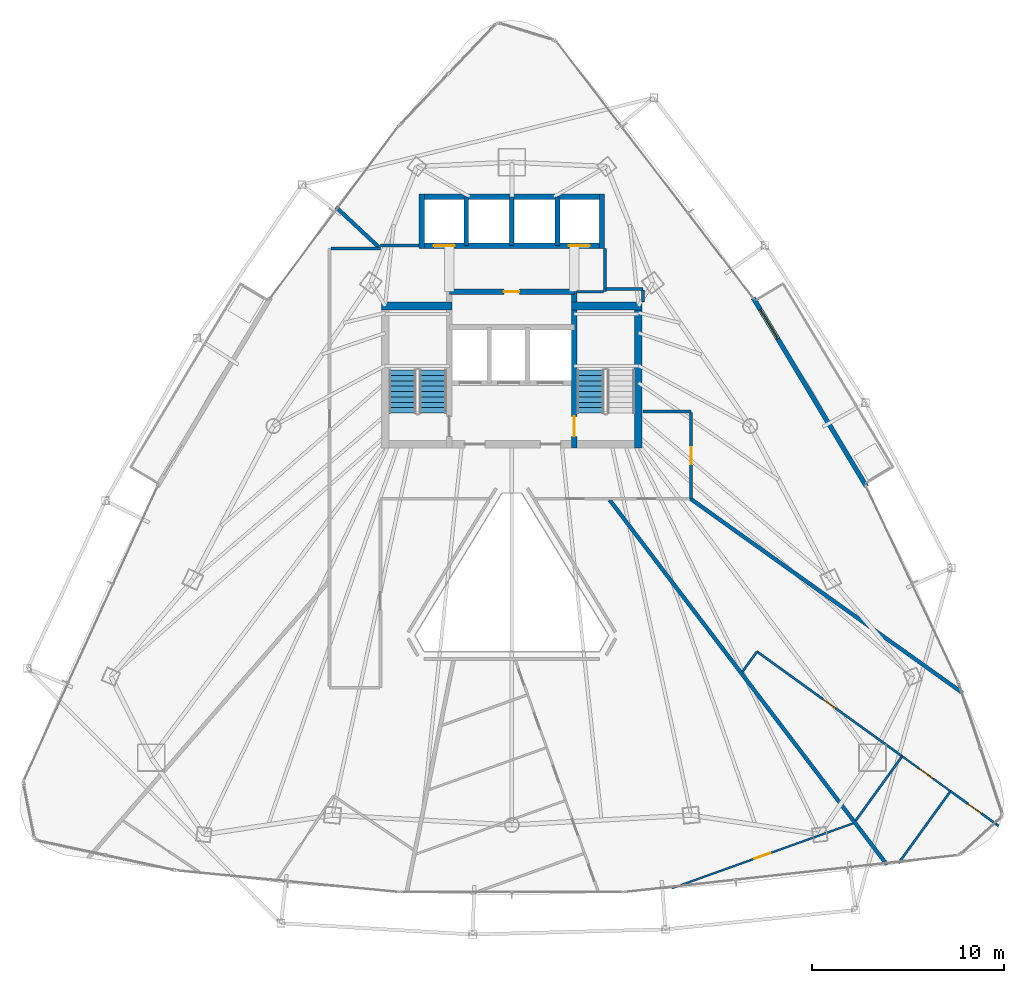
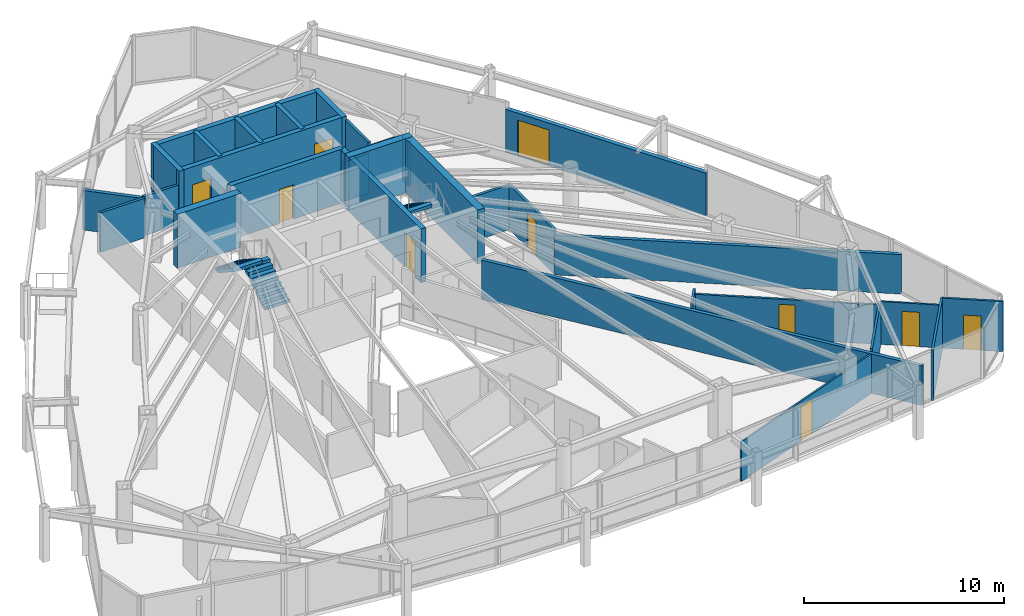
# One storey, part 26 of 30: 31 walls, 10 doors, 3 stair flights, 10 openings, 2 elements without a shape of their own.
"""IFC4 building model written with IfcOpenShell, lengths in metres."""

from ifc_helpers import new_model, si_unit, direction, frame, frame_2d, origin, place, context, subcontext, project, spatial, polyline, rectangle, outline, extrude, material, layer, layer_set, type_object, element, fill, aggregate, save


model = new_model("IFC4")

# Units and contexts
model_context = context("Model", 3, precision=1e-05, world=origin(), true_north=direction((0.0, 1.0)))
body_context = subcontext(model_context, "Body", "Model", "MODEL_VIEW")
ifc_project = project(units=[si_unit("LENGTHUNIT", "METRE"), si_unit("AREAUNIT", "SQUARE_METRE"), si_unit("VOLUMEUNIT", "CUBIC_METRE"), si_unit("PLANEANGLEUNIT", "RADIAN"), si_unit("MASSUNIT", "GRAM", prefix="KILO")], contexts=[model_context])

# Site, building, storey
site_placement = place(None, origin())
site = spatial("IfcSite", under=ifc_project, at=site_placement, CompositionType="ELEMENT")
building_placement = place(site_placement, origin())
building = spatial("IfcBuilding", under=site, at=building_placement, Name="Orvanel Arch Residences", CompositionType="ELEMENT")
storey_placement = place(building_placement, frame((0.0, 0.0, 139.699951171875)))
storey = spatial("IfcBuildingStorey", under=building, at=storey_placement, Name="L39", CompositionType="ELEMENT", Elevation=139.699951171875)

# Wall, opening, door
ifc_material_1 = material(Name="Precast concrete N50 (50 MPa)", Category="concrete")
ifc_layer_1 = layer(ifc_material_1, 0.239990234375)
ifc_layer_set_1 = layer_set([ifc_layer_1], Name="Precast concrete N50 (50 MPa)")
wall_type_1 = type_object("IfcWallType", Name="EW-BAL-240", PredefinedType="SOLIDWALL", material=ifc_layer_set_1)
wall_1_placement = place(storey_placement, frame((51.490966796875, 24.491943359375, 0.0), z_axis=(0.0, 0.0, 1.0), x_axis=(-0.514364263751, 0.857571807009, 0.0)))
wall_1 = element("IfcWall", 1, at=wall_1_placement, inside=storey, type_object=wall_type_1, Name="L39 Balcony Threshold Wall Face 3", PredefinedType="SOLIDWALL", context=body_context, shape_type="SweptSolid", body=[
    extrude(rectangle(XDim=11.46826171875, YDim=0.239990234375, at=frame_2d((5.734130859375, 0.0))), origin(), (0.0, 0.0, 1.0), 2.6240234375),
])
opening_1_placement = place(wall_1_placement, frame((8.971923828125, 0.0, 0.0)))
opening_1 = element("IfcOpeningElement", 2, at=opening_1_placement, cuts=wall_1, Name="Opening DB-180", PredefinedType="OPENING", context=body_context, shape_type="SweptSolid", body=[
    extrude(rectangle(XDim=1.800048828125, YDim=2.199951171875, at=frame_2d((0.89990234375, 1.10009765625))), frame((0.0, 0.1298828125, 0.0), z_axis=(0.0, -1.0, 0.0), x_axis=(1.0, 0.0, 0.0)), (0.0, 0.0, 1.0), 0.260009765625),
])
ifc_material_2 = material(Name="Bronze-anodised aluminium AA6063-T6", Category="aluminium")
door_type_1 = type_object("IfcDoorType", Name="DR-BAL-1800", OperationType="NOTDEFINED", PredefinedType="DOOR", material=ifc_material_2)
door_1_placement = place(opening_1_placement, origin())
door_1 = element("IfcDoor", 3, at=door_1_placement, inside=storey, type_object=door_type_1, Name="DR-L39-BAL-F3 L39 Planted Balcony Access Door Face 3", OperationType="SINGLE_SWING_LEFT", OverallHeight=2.199951171875, OverallWidth=1.800048828125, PredefinedType="DOOR", context=body_context, shape_type="SweptSolid", body=[
    extrude(rectangle(XDim=1.800048828125, YDim=2.199951171875, at=frame_2d((0.89990234375, 1.10009765625))), frame((0.0, 0.02490234375, 0.0), z_axis=(0.0, -1.0, 0.0), x_axis=(1.0, 0.0, 0.0)), (0.0, 0.0, 1.0), 0.050048828125),
])
fill(opening_1, door_1)

# Walls
ifc_material_3 = material(Name="Concrete N50 (50 MPa)", Category="concrete")
ifc_layer_2 = layer(ifc_material_3, 0.25)
ifc_layer_set_2 = layer_set([ifc_layer_2], Name="Concrete N50 (50 MPa)")
wall_type_2 = type_object("IfcWallType", Name="SW-CORE-250", PredefinedType="SHEAR", material=ifc_layer_set_2)
for number, where, z_axis, x_axis, name in (
    (4, (30.625, 37.050048828125, 0.0), (0.0, 0.0, 1.0), (0.0, 1.0, 0.0), "L39 Passenger Lift Inter-Shaft Wall P35"),
    (5, (33.0, 37.050048828125, 0.0), (0.0, 0.0, 1.0), (0.0, 1.0, 0.0), "L39 Passenger Lift Inter-Shaft Wall P56"),
    (6, (35.375, 37.050048828125, 0.0), (0.0, 0.0, 1.0), (0.0, 1.0, 0.0), "L39 Passenger Lift Inter-Shaft Wall P64"),
):
    element("IfcWall", number, at=place(storey_placement, frame(where, z_axis=z_axis, x_axis=x_axis)), inside=storey, type_object=wall_type_2, Name=name, PredefinedType="SHEAR", context=body_context, shape_type="SweptSolid", body=[
        extrude(rectangle(XDim=2.550048828125, YDim=0.25, at=frame_2d((1.27490234375, 0.0))), origin(), (0.0, 0.0, 1.0), 3.300048828125),
    ])

# Wall, opening, door
ifc_material_4 = material(Name="Concrete S65 (65 MPa)", Category="concrete")
ifc_layer_3 = layer(ifc_material_4, 0.280029296875)
ifc_layer_set_3 = layer_set([ifc_layer_3], Name="Concrete S65 (65 MPa)")
wall_type_3 = type_object("IfcWallType", Name="SW-CORE-280", PredefinedType="SHEAR", material=ifc_layer_set_3)
wall_2_placement = place(storey_placement, frame((36.260009765625, 26.5, 0.0), z_axis=(0.0, 0.0, 1.0), x_axis=(0.0, 1.0, 0.0)))
wall_2 = element("IfcWall", 7, at=wall_2_placement, inside=storey, type_object=wall_type_3, Name="L39 East Inner Core Spine Shear Wall", PredefinedType="SHEAR", context=body_context, shape_type="SweptSolid", body=[
    extrude(rectangle(XDim=8.14990234375, YDim=0.280029296875, at=frame_2d((4.074951171875, 0.0))), origin(), (0.0, 0.0, 1.0), 3.300048828125),
])
opening_2_placement = place(wall_2_placement, frame((0.60009765625, 0.0, 0.0)))
opening_2 = element("IfcOpeningElement", 8, at=opening_2_placement, cuts=wall_2, Name="Opening DF-120", PredefinedType="OPENING", context=body_context, shape_type="SweptSolid", body=[
    extrude(rectangle(XDim=1.050048828125, YDim=2.14990234375, at=frame_2d((0.52490234375, 1.074951171875))), frame((0.0, 0.14990234375, 0.0), z_axis=(0.0, -1.0, 0.0), x_axis=(1.0, 0.0, 0.0)), (0.0, 0.0, 1.0), 0.300048828125),
])
ifc_material_5 = material(Name="Galvanised steel fire-resisting door assembly", Category="steel")
door_type_2 = type_object("IfcDoorType", Name="DR-FD120-1050", OperationType="NOTDEFINED", PredefinedType="DOOR", material=ifc_material_5)
door_2_placement = place(opening_2_placement, origin())
door_2 = element("IfcDoor", 9, at=door_2_placement, inside=storey, type_object=door_type_2, Name="DR-L39-ST2 L39 Stair 2 Fire Door", OperationType="SINGLE_SWING_RIGHT", OverallHeight=2.14990234375, OverallWidth=1.050048828125, PredefinedType="DOOR", context=body_context, shape_type="SweptSolid", body=[
    extrude(rectangle(XDim=1.050048828125, YDim=2.14990234375, at=frame_2d((0.52490234375, 1.074951171875))), frame((0.0, 0.02490234375, 0.0), z_axis=(0.0, -1.0, 0.0), x_axis=(1.0, 0.0, 0.0)), (0.0, 0.0, 1.0), 0.050048828125),
])
fill(opening_2, door_2)

wall_3_placement = place(storey_placement, frame((29.739990234375, 34.64990234375, 0.0), z_axis=(0.0, 0.0, 1.0), x_axis=(1.0, 0.0, 0.0)))
wall_3 = element("IfcWall", 10, at=wall_3_placement, inside=storey, type_object=wall_type_3, Name="L39 Core Service Band North Shear Wall", PredefinedType="SHEAR", context=body_context, shape_type="SweptSolid", body=[
    extrude(rectangle(XDim=6.52001953125, YDim=0.280029296875, at=frame_2d((3.260009765625, 0.0))), origin(), (0.0, 0.0, 1.0), 3.300048828125),
])
opening_3_placement = place(wall_3_placement, frame((2.840087890625, 0.0, 0.0)))
opening_3 = element("IfcOpeningElement", 11, at=opening_3_placement, cuts=wall_3, Name="Opening DS-082", PredefinedType="OPENING", context=body_context, shape_type="SweptSolid", body=[
    extrude(rectangle(XDim=0.820068359375, YDim=2.10009765625, at=frame_2d((0.41015625, 1.050048828125))), frame((0.0, 0.14990234375, 0.0), z_axis=(0.0, -1.0, 0.0), x_axis=(1.0, 0.0, 0.0)), (0.0, 0.0, 1.0), 0.300048828125),
])
door_type_3 = type_object("IfcDoorType", Name="DR-SVC-820", OperationType="NOTDEFINED", PredefinedType="DOOR", material=ifc_material_5)
door_3_placement = place(opening_3_placement, origin())
door_3 = element("IfcDoor", 12, at=door_3_placement, inside=storey, type_object=door_type_3, Name="DR-L39-CSVC-1 L39 Housekeeping Linen Store Door", OperationType="SINGLE_SWING_LEFT", OverallHeight=2.10009765625, OverallWidth=0.820068359375, PredefinedType="DOOR", context=body_context, shape_type="SweptSolid", body=[
    extrude(rectangle(XDim=0.820068359375, YDim=2.10009765625, at=frame_2d((0.41015625, 1.050048828125))), frame((0.0, 0.02490234375, 0.0), z_axis=(0.0, -1.0, 0.0), x_axis=(1.0, 0.0, 0.0)), (0.0, 0.0, 1.0), 0.050048828125),
])
fill(opening_3, door_3)

# Wall, openings, doors
wall_4_placement = place(storey_placement, frame((37.840087890625, 37.050048828125, 0.0), z_axis=(0.0, 0.0, 1.0), x_axis=(-1.0, 0.0, 0.0)))
wall_4 = element("IfcWall", 13, at=wall_4_placement, inside=storey, type_object=wall_type_3, Name="L39 Passenger Lift Bank Front Shear Wall", PredefinedType="SHEAR", context=body_context, shape_type="SweptSolid", body=[
    extrude(rectangle(XDim=9.68017578125, YDim=0.280029296875, at=frame_2d((4.840087890625, 0.0))), origin(), (0.0, 0.0, 1.0), 3.300048828125),
])
opening_4_placement = place(wall_4_placement, frame((7.81494140625, 0.0, 0.0)))
opening_4 = element("IfcOpeningElement", 14, at=opening_4_placement, cuts=wall_4, Name="Opening LD-110", PredefinedType="OPENING", context=body_context, shape_type="SweptSolid", body=[
    extrude(rectangle(XDim=1.10009765625, YDim=2.199951171875, at=frame_2d((0.550048828125, 1.10009765625))), frame((0.0, 0.14990234375, 0.0), z_axis=(0.0, -1.0, 0.0), x_axis=(1.0, 0.0, 0.0)), (0.0, 0.0, 1.0), 0.300048828125),
])
opening_5_placement = place(wall_4_placement, frame((0.764892578125, 0.0, 0.0)))
opening_5 = element("IfcOpeningElement", 15, at=opening_5_placement, cuts=wall_4, Name="Opening LD-110", PredefinedType="OPENING", context=body_context, shape_type="SweptSolid", body=[
    extrude(rectangle(XDim=1.10009765625, YDim=2.199951171875, at=frame_2d((0.550048828125, 1.10009765625))), frame((0.0, 0.14990234375, 0.0), z_axis=(0.0, -1.0, 0.0), x_axis=(1.0, 0.0, 0.0)), (0.0, 0.0, 1.0), 0.300048828125),
])
door_type_4 = type_object("IfcDoorType", Name="DR-LFT-1100", OperationType="NOTDEFINED", PredefinedType="DOOR", material=ifc_material_5)
door_4_placement = place(opening_4_placement, origin())
door_4 = element("IfcDoor", 16, at=door_4_placement, inside=storey, type_object=door_type_4, Name="LD-P3-L39 L39 Passenger Lift P3 Sliding Landing Door", OperationType="DOUBLE_DOOR_SLIDING", OverallHeight=2.199951171875, OverallWidth=1.10009765625, PredefinedType="DOOR", context=body_context, shape_type="SweptSolid", body=[
    extrude(rectangle(XDim=1.10009765625, YDim=2.199951171875, at=frame_2d((0.550048828125, 1.10009765625))), frame((0.0, 0.02490234375, 0.0), z_axis=(0.0, -1.0, 0.0), x_axis=(1.0, 0.0, 0.0)), (0.0, 0.0, 1.0), 0.050048828125),
])
fill(opening_4, door_4)
door_5_placement = place(opening_5_placement, origin())
door_5 = element("IfcDoor", 17, at=door_5_placement, inside=storey, type_object=door_type_4, Name="LD-P4-L39 L39 Passenger Lift P4 Sliding Landing Door", OperationType="DOUBLE_DOOR_SLIDING", OverallHeight=2.199951171875, OverallWidth=1.10009765625, PredefinedType="DOOR", context=body_context, shape_type="SweptSolid", body=[
    extrude(rectangle(XDim=1.10009765625, YDim=2.199951171875, at=frame_2d((0.550048828125, 1.10009765625))), frame((0.0, 0.02490234375, 0.0), z_axis=(0.0, -1.0, 0.0), x_axis=(1.0, 0.0, 0.0)), (0.0, 0.0, 1.0), 0.050048828125),
])
fill(opening_5, door_5)

# Walls
wall_5_placement = place(storey_placement, frame((28.159912109375, 39.60009765625, 0.0), z_axis=(0.0, 0.0, 1.0), x_axis=(1.0, 0.0, 0.0)))
element("IfcWall", 18, at=wall_5_placement, inside=storey, type_object=wall_type_3, Name="L39 Passenger Lift Bank North Shear Wall", PredefinedType="SHEAR", context=body_context, shape_type="SweptSolid", body=[
    extrude(rectangle(XDim=9.68017578125, YDim=0.280029296875, at=frame_2d((4.840087890625, 0.0))), origin(), (0.0, 0.0, 1.0), 3.300048828125),
])
for number, where, z_axis, x_axis, name in (
    (19, (28.300048828125, 36.909912109375, 0.0), (0.0, 0.0, 1.0), (0.0, 1.0, 0.0), "L39 Passenger Lift Bank West Shear Wall"),
    (20, (37.699951171875, 36.909912109375, 0.0), (0.0, 0.0, 1.0), (0.0, 1.0, 0.0), "L39 Passenger Lift Bank East Shear Wall"),
):
    element("IfcWall", number, at=place(storey_placement, frame(where, z_axis=z_axis, x_axis=x_axis)), inside=storey, type_object=wall_type_3, Name=name, PredefinedType="SHEAR", context=body_context, shape_type="SweptSolid", body=[
        extrude(rectangle(XDim=2.830078125, YDim=0.280029296875, at=frame_2d((1.4150390625, 0.0))), origin(), (0.0, 0.0, 1.0), 3.300048828125),
    ])
ifc_layer_4 = layer(ifc_material_4, 0.39990234375)
ifc_layer_set_4 = layer_set([ifc_layer_4], Name="Concrete S65 (65 MPa)")
wall_type_4 = type_object("IfcWallType", Name="SW-CORE-400", PredefinedType="SHEAR", material=ifc_layer_set_4)
wall_6_placement = place(storey_placement, frame((26.199951171875, 33.89990234375, 0.0), z_axis=(0.0, 0.0, 1.0), x_axis=(1.0, 0.0, 0.0)))
element("IfcWall", 21, at=wall_6_placement, inside=storey, type_object=wall_type_4, Name="L39 West Stair North Shear Wall", PredefinedType="SHEAR", context=body_context, shape_type="SweptSolid", body=[
    extrude(rectangle(XDim=3.679931640625, YDim=0.39990234375, at=frame_2d((1.83984375, 0.0))), origin(), (0.0, 0.0, 1.0), 3.300048828125),
])
wall_7_placement = place(storey_placement, frame((39.60009765625, 26.5, 0.0), z_axis=(0.0, 0.0, 1.0), x_axis=(0.0, 1.0, 0.0)))
element("IfcWall", 22, at=wall_7_placement, inside=storey, type_object=wall_type_4, Name="L39 East Stair Shear Wall", PredefinedType="SHEAR", context=body_context, shape_type="SweptSolid", body=[
    extrude(rectangle(XDim=7.60009765625, YDim=0.39990234375, at=frame_2d((3.800048828125, 0.0))), origin(), (0.0, 0.0, 1.0), 3.300048828125),
])
wall_8_placement = place(storey_placement, frame((36.1201171875, 33.89990234375, 0.0), z_axis=(0.0, 0.0, 1.0), x_axis=(1.0, 0.0, 0.0)))
element("IfcWall", 23, at=wall_8_placement, inside=storey, type_object=wall_type_4, Name="L39 East Stair North Shear Wall", PredefinedType="SHEAR", context=body_context, shape_type="SweptSolid", body=[
    extrude(rectangle(XDim=3.679931640625, YDim=0.39990234375, at=frame_2d((1.83984375, 0.0))), origin(), (0.0, 0.0, 1.0), 3.300048828125),
])
ifc_material_6 = material(Name="Fire-rated plasterboard lined steel stud partition", Category="steel")
ifc_layer_5 = layer(ifc_material_6, 0.14990234375)
ifc_layer_set_5 = layer_set([ifc_layer_5], Name="Fire-rated plasterboard lined steel stud partition")
wall_type_5 = type_object("IfcWallType", Name="W-COR-150", PredefinedType="PARTITIONING", material=ifc_layer_set_5)
wall_9_placement = place(storey_placement, frame((37.85009765625, 34.64990234375, 0.0), z_axis=(0.0, 0.0, 1.0), x_axis=(0.0, 1.0, 0.0)))
element("IfcWall", 24, at=wall_9_placement, inside=storey, type_object=wall_type_5, Name="L39 Passenger Lift Lobby East Closure Wall", PredefinedType="PARTITIONING", context=body_context, shape_type="SweptSolid", body=[
    extrude(rectangle(XDim=2.260009765625, YDim=0.14990234375, at=frame_2d((1.1298828125, 0.0))), origin(), (0.0, 0.0, 1.0), 3.06005859375),
])
wall_10_placement = place(storey_placement, frame((36.385009765625, 34.64990234375, 0.0), z_axis=(0.0, 0.0, 1.0), x_axis=(1.0, 0.0, 0.0)))
element("IfcWall", 25, at=wall_10_placement, inside=storey, type_object=wall_type_5, Name="L39 Passenger Lift Lobby South-East Wall", PredefinedType="PARTITIONING", context=body_context, shape_type="SweptSolid", body=[
    extrude(rectangle(XDim=1.405029296875, YDim=0.14990234375, at=frame_2d((0.70263671875, 0.0))), origin(), (0.0, 0.0, 1.0), 2.425048828125),
])
wall_11_placement = place(storey_placement, frame((23.56005859375, 36.89990234375, 0.0), z_axis=(0.0, 0.0, 1.0), x_axis=(1.0, 0.0, 0.0)))
element("IfcWall", 26, at=wall_11_placement, inside=storey, type_object=wall_type_5, Name="L39 Corridor Fire-Rated Partition", PredefinedType="PARTITIONING", context=body_context, shape_type="SweptSolid", body=[
    extrude(rectangle(XDim=2.58984375, YDim=0.14990234375, at=frame_2d((1.294921875, 0.0))), origin(), (0.0, 0.0, 1.0), 2.4130859375),
])
wall_12_placement = place(storey_placement, frame((39.85009765625, 28.39990234375, 0.0), z_axis=(0.0, 0.0, 1.0), x_axis=(1.0, 0.0, 0.0)))
element("IfcWall", 27, at=wall_12_placement, inside=storey, type_object=wall_type_5, Name="L39 Corridor Fire-Rated Partition", PredefinedType="PARTITIONING", context=body_context, shape_type="SweptSolid", body=[
    extrude(rectangle(XDim=2.5, YDim=0.14990234375, at=frame_2d((1.25, 0.0))), origin(), (0.0, 0.0, 1.0), 2.720947265625),
])

# Wall, opening, door
wall_13_placement = place(storey_placement, frame((42.35009765625, 28.340087890625, 0.0), z_axis=(0.0, 0.0, 1.0), x_axis=(0.0, -1.0, 0.0)))
wall_13 = element("IfcWall", 28, at=wall_13_placement, inside=storey, type_object=wall_type_5, Name="L39 Corridor Fire-Rated Partition", PredefinedType="PARTITIONING", context=body_context, shape_type="SweptSolid", body=[
    extrude(rectangle(XDim=4.489990234375, YDim=0.14990234375, at=frame_2d((2.2451171875, 0.0))), origin(), (0.0, 0.0, 1.0), 2.720947265625),
])
opening_6_placement = place(wall_13_placement, frame((1.804931640625, 0.0, 0.0)))
opening_6 = element("IfcOpeningElement", 29, at=opening_6_placement, cuts=wall_13, Name="Opening DI-088", PredefinedType="OPENING", context=body_context, shape_type="SweptSolid", body=[
    extrude(rectangle(XDim=0.8798828125, YDim=2.10009765625, at=frame_2d((0.43994140625, 1.050048828125))), frame((0.0, 0.0849609375, 0.0), z_axis=(0.0, -1.0, 0.0), x_axis=(1.0, 0.0, 0.0)), (0.0, 0.0, 1.0), 0.169921875),
])
ifc_material_7 = material(Name="Solid-core European oak veneer fire door leaf", Category="wood")
door_type_5 = type_object("IfcDoorType", Name="DR-INT-880", OperationType="NOTDEFINED", PredefinedType="DOOR", material=ifc_material_7)
door_6_placement = place(opening_6_placement, origin())
door_6 = element("IfcDoor", 30, at=door_6_placement, inside=storey, type_object=door_type_5, Name="DR-L39-SHRD-FB2 L39 Co-Working Study Office B Door", OperationType="SINGLE_SWING_LEFT", OverallHeight=2.10009765625, OverallWidth=0.8798828125, PredefinedType="DOOR", context=body_context, shape_type="SweptSolid", body=[
    extrude(rectangle(XDim=0.8798828125, YDim=2.10009765625, at=frame_2d((0.43994140625, 1.050048828125))), frame((0.0, 0.02490234375, 0.0), z_axis=(0.0, -1.0, 0.0), x_axis=(1.0, 0.0, 0.0)), (0.0, 0.0, 1.0), 0.050048828125),
])
fill(opening_6, door_6)

# Walls
wall_14_placement = place(storey_placement, frame((26.14990234375, 37.050048828125, 0.0), z_axis=(0.0, 0.0, 1.0), x_axis=(1.0, 0.0, 0.0)))
element("IfcWall", 31, at=wall_14_placement, inside=storey, type_object=wall_type_5, Name="L39 Core Perimeter Partition", PredefinedType="PARTITIONING", context=body_context, shape_type="SweptSolid", body=[
    extrude(rectangle(XDim=2.0, YDim=0.14990234375, at=frame_2d((1.0, 0.0))), origin(), (0.0, 0.0, 1.0), 2.4130859375),
])
wall_15_placement = place(storey_placement, frame((37.909912109375, 34.800048828125, 0.0), z_axis=(0.0, 0.0, 1.0), x_axis=(1.0, 0.0, 0.0)))
element("IfcWall", 32, at=wall_15_placement, inside=storey, type_object=wall_type_5, Name="L39 Core Perimeter Partition", PredefinedType="PARTITIONING", context=body_context, shape_type="SweptSolid", body=[
    extrude(rectangle(XDim=1.940185546875, YDim=0.14990234375, at=frame_2d((0.97021484375, 0.0))), origin(), (0.0, 0.0, 1.0), 2.720947265625),
])
wall_16_placement = place(storey_placement, frame((39.85009765625, 34.739990234375, 0.0), z_axis=(0.0, 0.0, 1.0), x_axis=(0.0, -1.0, 0.0)))
element("IfcWall", 33, at=wall_16_placement, inside=storey, type_object=wall_type_5, Name="L39 Core Perimeter Partition", PredefinedType="PARTITIONING", context=body_context, shape_type="SweptSolid", body=[
    extrude(rectangle(XDim=0.639892578125, YDim=0.14990234375, at=frame_2d((0.31982421875, 0.0))), origin(), (0.0, 0.0, 1.0), 2.720947265625),
])
ifc_layer_6 = layer(ifc_material_6, 0.199951171875)
ifc_layer_set_6 = layer_set([ifc_layer_6], Name="Fire-rated plasterboard lined steel stud partition")
wall_type_6 = type_object("IfcWallType", Name="W-DEM-200", PredefinedType="PARTITIONING", material=ifc_layer_set_6)
wall_17_placement = place(storey_placement, frame((38.10107421875, 23.7900390625, 0.0), z_axis=(0.0, 0.0, 1.0), x_axis=(0.605201904092, -0.796072016393, 0.0)))
element("IfcWall", 34, at=wall_17_placement, inside=storey, type_object=wall_type_6, Name="L39 Inter-Tenancy Acoustic Demising Wall", PredefinedType="PARTITIONING", context=body_context, shape_type="SweptSolid", body=[
    extrude(rectangle(XDim=23.89599609375, YDim=0.199951171875, at=frame_2d((11.947998046875, 0.0))), origin(), (0.0, 0.0, 1.0), 2.4130859375),
])
wall_18_placement = place(storey_placement, frame((26.0791015625, 36.9599609375, 0.0), z_axis=(0.0, 0.0, 1.0), x_axis=(-0.730912649308, 0.682471024354, 0.0)))
element("IfcWall", 35, at=wall_18_placement, inside=storey, type_object=wall_type_6, Name="L39 Inter-Tenancy Acoustic Demising Wall", PredefinedType="PARTITIONING", context=body_context, shape_type="SweptSolid", body=[
    extrude(rectangle(XDim=3.07421875, YDim=0.199951171875, at=frame_2d((1.537109375, 0.0))), origin(), (0.0, 0.0, 1.0), 2.4130859375),
])
wall_19_placement = place(storey_placement, frame((56.514892578125, 13.719970703125, 0.0), z_axis=(0.0, 0.0, 1.0), x_axis=(-0.813997291107, 0.580868668522, 0.0)))
element("IfcWall", 36, at=wall_19_placement, inside=storey, type_object=wall_type_6, Name="L39 Inter-Tenancy Acoustic Demising Wall", PredefinedType="PARTITIONING", context=body_context, shape_type="SweptSolid", body=[
    extrude(rectangle(XDim=17.439697265625, YDim=0.199951171875, at=frame_2d((8.7197265625, 0.0))), origin(), (0.0, 0.0, 1.0), 2.4130859375),
])

# Wall, opening, door
ifc_material_8 = material(Name="Acoustic plasterboard lined twin-stud partition", Category="gypsum")
ifc_layer_7 = layer(ifc_material_8, 0.10009765625)
ifc_layer_set_7 = layer_set([ifc_layer_7], Name="Acoustic plasterboard lined twin-stud partition")
wall_type_7 = type_object("IfcWallType", Name="W-INT-100", PredefinedType="PARTITIONING", material=ifc_layer_set_7)
wall_20_placement = place(storey_placement, frame((50.81005859375, 6.931884765625, 0.0), z_axis=(0.0, 0.0, 1.0), x_axis=(-0.941340567411, -0.337458050943, 0.0)))
wall_20 = element("IfcWall", 37, at=wall_20_placement, inside=storey, type_object=wall_type_7, Name="L39 Flat A Internal Partition", PredefinedType="PARTITIONING", context=body_context, shape_type="SweptSolid", body=[
    extrude(rectangle(XDim=10.0634765625, YDim=0.10009765625, at=frame_2d((5.03173828125, 0.0))), origin(), (0.0, 0.0, 1.0), 2.4130859375),
])
opening_7_placement = place(wall_20_placement, frame((4.592041015625, 0.0, 0.0)))
opening_7 = element("IfcOpeningElement", 38, at=opening_7_placement, cuts=wall_20, Name="Opening DI-088", PredefinedType="OPENING", context=body_context, shape_type="SweptSolid", body=[
    extrude(rectangle(XDim=0.8798828125, YDim=2.10009765625, at=frame_2d((0.43994140625, 1.050048828125))), frame((0.0, 0.06005859375, 0.0), z_axis=(0.0, -1.0, 0.0), x_axis=(1.0, 0.0, 0.0)), (0.0, 0.0, 1.0), 0.1201171875),
])
door_7_placement = place(opening_7_placement, origin())
door_7 = element("IfcDoor", 39, at=door_7_placement, inside=storey, type_object=door_type_5, Name="DR-L39-A-AME2 L39 Flat A Resident Reading Library 1 Door", OperationType="SINGLE_SWING_LEFT", OverallHeight=2.10009765625, OverallWidth=0.8798828125, PredefinedType="DOOR", context=body_context, shape_type="SweptSolid", body=[
    extrude(rectangle(XDim=0.8798828125, YDim=2.10009765625, at=frame_2d((0.43994140625, 1.050048828125))), frame((0.0, 0.02490234375, 0.0), z_axis=(0.0, -1.0, 0.0), x_axis=(1.0, 0.0, 0.0)), (0.0, 0.0, 1.0), 0.050048828125),
])
fill(opening_7, door_7)

wall_21_placement = place(storey_placement, frame((55.8740234375, 8.60400390625, 0.0), z_axis=(0.0, 0.0, 1.0), x_axis=(-0.810886170902, 0.585203911333, 0.0)))
wall_21 = element("IfcWall", 40, at=wall_21_placement, inside=storey, type_object=wall_type_7, Name="L39 Studio E Internal Partition", PredefinedType="PARTITIONING", context=body_context, shape_type="SweptSolid", body=[
    extrude(rectangle(XDim=3.110107421875, YDim=0.10009765625, at=frame_2d((1.55517578125, 0.0))), origin(), (0.0, 0.0, 1.0), 2.619140625),
])
opening_8_placement = place(wall_21_placement, frame((1.114990234375, 0.0, 0.0)))
opening_8 = element("IfcOpeningElement", 41, at=opening_8_placement, cuts=wall_21, Name="Opening DI-088", PredefinedType="OPENING", context=body_context, shape_type="SweptSolid", body=[
    extrude(rectangle(XDim=0.8798828125, YDim=2.10009765625, at=frame_2d((0.43994140625, 1.050048828125))), frame((0.0, 0.06005859375, 0.0), z_axis=(0.0, -1.0, 0.0), x_axis=(1.0, 0.0, 0.0)), (0.0, 0.0, 1.0), 0.1201171875),
])
door_8_placement = place(opening_8_placement, origin())
door_8 = element("IfcDoor", 42, at=door_8_placement, inside=storey, type_object=door_type_5, Name="DR-L39-E-DIN1 L39 Studio E Dining Room 1 Door", OperationType="SINGLE_SWING_LEFT", OverallHeight=2.10009765625, OverallWidth=0.8798828125, PredefinedType="DOOR", context=body_context, shape_type="SweptSolid", body=[
    extrude(rectangle(XDim=0.8798828125, YDim=2.10009765625, at=frame_2d((0.43994140625, 1.050048828125))), frame((0.0, 0.02490234375, 0.0), z_axis=(0.0, -1.0, 0.0), x_axis=(1.0, 0.0, 0.0)), (0.0, 0.0, 1.0), 0.050048828125),
])
fill(opening_8, door_8)

ifc_layer_8 = layer(ifc_material_8, 0.1201171875)
ifc_layer_set_8 = layer_set([ifc_layer_8], Name="Acoustic plasterboard lined twin-stud partition")
wall_type_8 = type_object("IfcWallType", Name="W-WET-120", PredefinedType="PARTITIONING", material=ifc_layer_set_8)
wall_22_placement = place(storey_placement, frame((53.35205078125, 10.424072265625, 0.0), z_axis=(0.0, 0.0, 1.0), x_axis=(-0.810979209295, 0.585074971343, 0.0)))
wall_22 = element("IfcWall", 43, at=wall_22_placement, inside=storey, type_object=wall_type_8, Name="L39 Studio E Bathroom Partition", PredefinedType="PARTITIONING", context=body_context, shape_type="SweptSolid", body=[
    extrude(rectangle(XDim=9.33203125, YDim=0.1201171875, at=frame_2d((4.666015625, 0.0))), origin(), (0.0, 0.0, 1.0), 2.4130859375),
])
opening_9_placement = place(wall_22_placement, frame((4.256103515625, 0.0, 0.0)))
opening_9 = element("IfcOpeningElement", 44, at=opening_9_placement, cuts=wall_22, Name="Opening DW-082", PredefinedType="OPENING", context=body_context, shape_type="SweptSolid", body=[
    extrude(rectangle(XDim=0.820068359375, YDim=2.10009765625, at=frame_2d((0.41015625, 1.050048828125))), frame((0.0, 0.070068359375, 0.0), z_axis=(0.0, -1.0, 0.0), x_axis=(1.0, 0.0, 0.0)), (0.0, 0.0, 1.0), 0.14013671875),
])
door_type_6 = type_object("IfcDoorType", Name="DR-WET-820", OperationType="NOTDEFINED", PredefinedType="DOOR", material=ifc_material_7)
door_9_placement = place(opening_9_placement, origin())
door_9 = element("IfcDoor", 45, at=door_9_placement, inside=storey, type_object=door_type_6, Name="DR-L39-E-BATH L39 Studio E Bathroom Door", OperationType="SINGLE_SWING_RIGHT", OverallHeight=2.10009765625, OverallWidth=0.820068359375, PredefinedType="DOOR", context=body_context, shape_type="SweptSolid", body=[
    extrude(rectangle(XDim=0.820068359375, YDim=2.10009765625, at=frame_2d((0.41015625, 1.050048828125))), frame((0.0, 0.02490234375, 0.0), z_axis=(0.0, -1.0, 0.0), x_axis=(1.0, 0.0, 0.0)), (0.0, 0.0, 1.0), 0.050048828125),
])
fill(opening_9, door_9)

# Wall
wall_23_placement = place(storey_placement, frame((45.783935546875, 15.884033203125, 0.0), z_axis=(0.0, 0.0, 1.0), x_axis=(-0.58557264979, -0.810619930558, 0.0)))
element("IfcWall", 46, at=wall_23_placement, inside=storey, type_object=wall_type_8, Name="L39 Studio E Bathroom Partition", PredefinedType="PARTITIONING", context=body_context, shape_type="SweptSolid", body=[
    extrude(rectangle(XDim=1.302978515625, YDim=0.1201171875, at=frame_2d((0.6513671875, 0.0))), origin(), (0.0, 0.0, 1.0), 2.720947265625),
])

# Wall, opening, door
wall_24_placement = place(storey_placement, frame((58.385009765625, 6.79296875, 0.0), z_axis=(0.0, 0.0, 1.0), x_axis=(-0.811055436316, 0.584969297675, 0.0)))
wall_24 = element("IfcWall", 47, at=wall_24_placement, inside=storey, type_object=wall_type_8, Name="L39 Studio E Internal Partition", PredefinedType="PARTITIONING", context=body_context, shape_type="SweptSolid", body=[
    extrude(rectangle(XDim=3.095947265625, YDim=0.1201171875, at=frame_2d((1.5478515625, 0.0))), origin(), (0.0, 0.0, 1.0), 3.06005859375),
])
opening_10_placement = place(wall_24_placement, frame((1.10791015625, 0.0, 0.0)))
opening_10 = element("IfcOpeningElement", 48, at=opening_10_placement, cuts=wall_24, Name="Opening DI-088", PredefinedType="OPENING", context=body_context, shape_type="SweptSolid", body=[
    extrude(rectangle(XDim=0.8798828125, YDim=2.10009765625, at=frame_2d((0.43994140625, 1.050048828125))), frame((0.0, 0.070068359375, 0.0), z_axis=(0.0, -1.0, 0.0), x_axis=(1.0, 0.0, 0.0)), (0.0, 0.0, 1.0), 0.14013671875),
])
door_10_placement = place(opening_10_placement, origin())
door_10 = element("IfcDoor", 49, at=door_10_placement, inside=storey, type_object=door_type_5, Name="DR-L39-E-KIT L39 Studio E Kitchenette Door", OperationType="SINGLE_SWING_LEFT", OverallHeight=2.10009765625, OverallWidth=0.8798828125, PredefinedType="DOOR", context=body_context, shape_type="SweptSolid", body=[
    extrude(rectangle(XDim=0.8798828125, YDim=2.10009765625, at=frame_2d((0.43994140625, 1.050048828125))), frame((0.0, 0.02490234375, 0.0), z_axis=(0.0, -1.0, 0.0), x_axis=(1.0, 0.0, 0.0)), (0.0, 0.0, 1.0), 0.050048828125),
])
fill(opening_10, door_10)

# Walls
wall_25_placement = place(storey_placement, frame((53.35205078125, 10.424072265625, 0.0), z_axis=(0.0, 0.0, 1.0), x_axis=(-0.585041198475, -0.811003573412, 0.0)))
element("IfcWall", 50, at=wall_25_placement, inside=storey, type_object=wall_type_8, Name="L39 Studio E Bathroom Partition", PredefinedType="PARTITIONING", context=body_context, shape_type="SweptSolid", body=[
    extrude(rectangle(XDim=4.146728515625, YDim=0.1201171875, at=frame_2d((2.0732421875, 0.0))), origin(), (0.0, 0.0, 1.0), 2.619140625),
])
wall_26_placement = place(storey_placement, frame((53.1640625, 4.846923828125, 0.0), z_axis=(0.0, 0.0, 1.0), x_axis=(0.58499591955, 0.81103623477, 0.0)))
element("IfcWall", 51, at=wall_26_placement, inside=storey, type_object=wall_type_8, Name="L39 Studio E Internal Partition", PredefinedType="PARTITIONING", context=body_context, shape_type="SweptSolid", body=[
    extrude(rectangle(XDim=4.63232421875, YDim=0.1201171875, at=frame_2d((2.316162109375, 0.0))), origin(), (0.0, 0.0, 1.0), 3.06005859375),
])

# Stair, stair flights
stair_type = type_object("IfcStairType", Name="STR-DOG-184", PredefinedType="USERDEFINED", material=ifc_material_1)
stair_1_placement = place(storey_placement, origin())
stair_1 = element("IfcStair", 52, at=stair_1_placement, inside=storey, type_object=stair_type, Name="L39 Fire-Isolated Core Exit Stair 1", ObjectType="TWO_RETURN_STAIR", PredefinedType="USERDEFINED")
stair_flight_type_1 = type_object("IfcStairFlightType", Name="SFL-C1-184", PredefinedType="STRAIGHT", material=ifc_material_1)
stair_flight_1_placement = place(storey_placement, frame((28.889892578125, 28.320068359375, 0.0), z_axis=(0.0, 0.0, 1.0), x_axis=(0.0, 1.0, 0.0)))
stair_flight_1 = element("IfcStairFlight", 53, at=stair_flight_1_placement, type_object=stair_flight_type_1, Name="ST-1 flight 1", NumberOfRisers=9, NumberOfTreads=8, PredefinedType="STRAIGHT", RiserHeight=0.183333333, TreadLength=0.28, context=body_context, shape_type="SweptSolid", body=[
    extrude(outline(polyline([(0.0, 0.0), (0.0, 0.183349609375), (0.280029296875, 0.183349609375), (0.280029296875, 0.36669921875), (0.56005859375, 0.36669921875), (0.56005859375, 0.550048828125), (0.840087890625, 0.550048828125), (0.840087890625, 0.7333984375), (1.1201171875, 0.7333984375), (1.1201171875, 0.916748046875), (1.39990234375, 0.916748046875), (1.39990234375, 1.10009765625), (1.679931640625, 1.10009765625), (1.679931640625, 1.283447265625), (1.9599609375, 1.283447265625), (1.9599609375, 1.466552734375), (2.239990234375, 1.466552734375), (2.239990234375, 1.64990234375), (2.239990234375, 1.28759765625), (0.273681640625, 0.0), (0.0, 0.0)])), frame((0.0, 0.7099609375, 0.0), z_axis=(0.0, -1.0, 0.0), x_axis=(1.0, 0.0, 0.0)), (0.0, 0.0, 1.0), 1.419921875),
])
stair_flight_2_placement = place(storey_placement, frame((27.31005859375, 30.56005859375, 1.650146484375), z_axis=(0.0, 0.0, 1.0), x_axis=(0.0, -1.0, 0.0)))
stair_flight_2 = element("IfcStairFlight", 54, at=stair_flight_2_placement, type_object=stair_flight_type_1, Name="ST-1 flight 2", NumberOfRisers=9, NumberOfTreads=8, PredefinedType="STRAIGHT", RiserHeight=0.183333333, TreadLength=0.28, context=body_context, shape_type="SweptSolid", body=[
    extrude(outline(polyline([(0.0, 0.0), (0.0, 0.183349609375), (0.280029296875, 0.183349609375), (0.280029296875, 0.36669921875), (0.56005859375, 0.36669921875), (0.56005859375, 0.550048828125), (0.840087890625, 0.550048828125), (0.840087890625, 0.7333984375), (1.1201171875, 0.7333984375), (1.1201171875, 0.916748046875), (1.39990234375, 0.916748046875), (1.39990234375, 1.10009765625), (1.679931640625, 1.10009765625), (1.679931640625, 1.283447265625), (1.9599609375, 1.283447265625), (1.9599609375, 1.466552734375), (2.239990234375, 1.466552734375), (2.239990234375, 1.64990234375), (2.239990234375, 1.28759765625), (0.273681640625, 0.0), (0.0, 0.0)])), frame((0.0, 0.7099609375, 0.0), z_axis=(0.0, -1.0, 0.0), x_axis=(1.0, 0.0, 0.0)), (0.0, 0.0, 1.0), 1.419921875),
])
aggregate(stair_1, [stair_flight_1, stair_flight_2])

# Stair, stair flight
stair_2_placement = place(storey_placement, origin())
stair_2 = element("IfcStair", 55, at=stair_2_placement, inside=storey, type_object=stair_type, Name="L39 Fire-Isolated Core Exit Stair 2", ObjectType="TWO_RETURN_STAIR", PredefinedType="USERDEFINED")
stair_flight_type_2 = type_object("IfcStairFlightType", Name="SFL-C2-184", PredefinedType="STRAIGHT", material=ifc_material_1)
stair_flight_3_placement = place(storey_placement, frame((37.110107421875, 30.56005859375, 1.650146484375), z_axis=(0.0, 0.0, 1.0), x_axis=(0.0, -1.0, 0.0)))
stair_flight_3 = element("IfcStairFlight", 56, at=stair_flight_3_placement, type_object=stair_flight_type_2, Name="ST-2 flight 2", NumberOfRisers=9, NumberOfTreads=8, PredefinedType="STRAIGHT", RiserHeight=0.183333333, TreadLength=0.28, context=body_context, shape_type="SweptSolid", body=[
    extrude(outline(polyline([(0.0, 0.0), (0.0, 0.183349609375), (0.280029296875, 0.183349609375), (0.280029296875, 0.36669921875), (0.56005859375, 0.36669921875), (0.56005859375, 0.550048828125), (0.840087890625, 0.550048828125), (0.840087890625, 0.7333984375), (1.1201171875, 0.7333984375), (1.1201171875, 0.916748046875), (1.39990234375, 0.916748046875), (1.39990234375, 1.10009765625), (1.679931640625, 1.10009765625), (1.679931640625, 1.283447265625), (1.9599609375, 1.283447265625), (1.9599609375, 1.466552734375), (2.239990234375, 1.466552734375), (2.239990234375, 1.64990234375), (2.239990234375, 1.28759765625), (0.273681640625, 0.0), (0.0, 0.0)])), frame((0.0, 0.7099609375, 0.0), z_axis=(0.0, -1.0, 0.0), x_axis=(1.0, 0.0, 0.0)), (0.0, 0.0, 1.0), 1.419921875),
])
aggregate(stair_2, [stair_flight_3])

save(model, "model.ifc")
